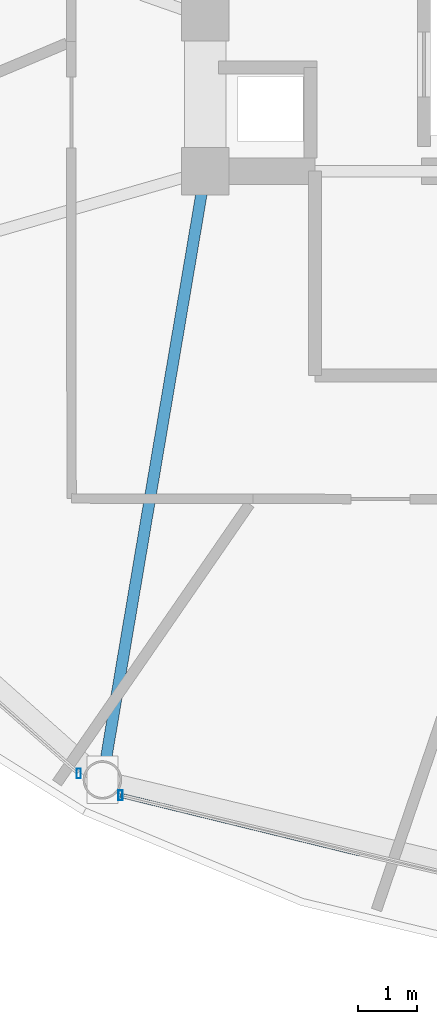
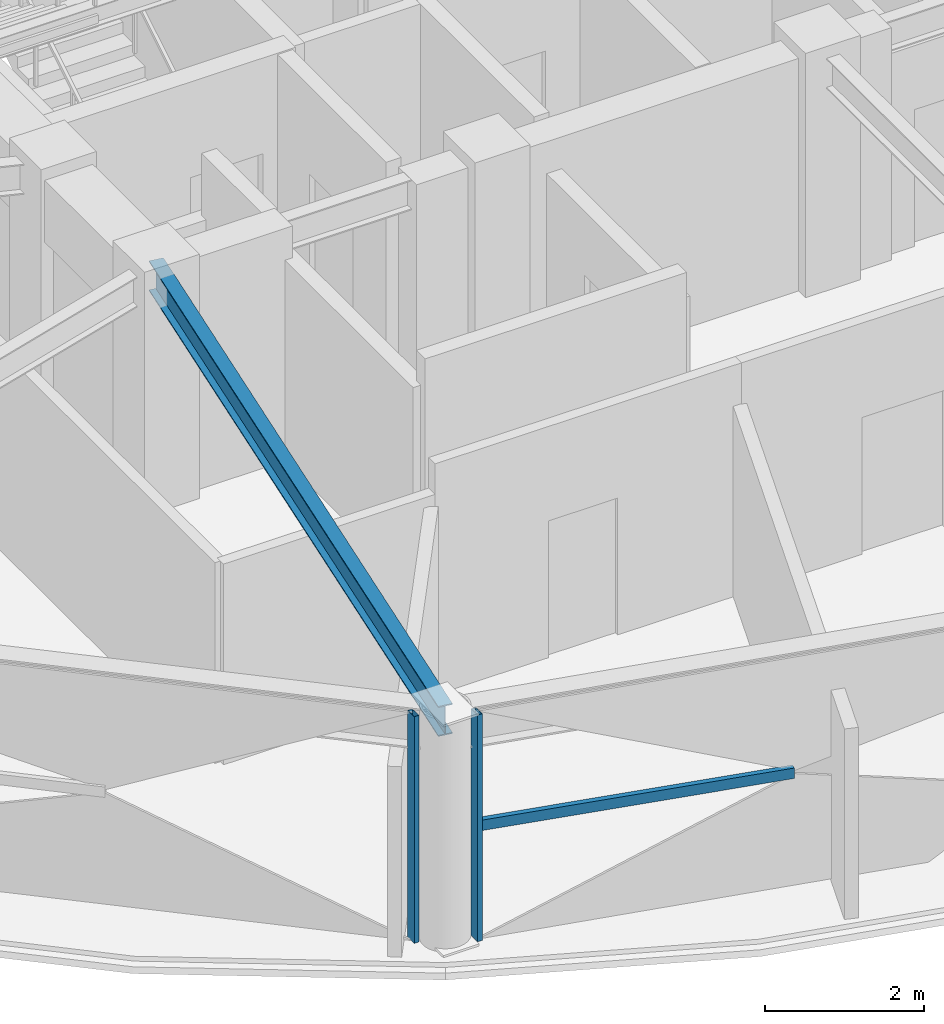
# One storey, part 2 of 30: 3 members, 1 beam, 2 elements without a shape of their own.
"""IFC4 building model written with IfcOpenShell, lengths in metres."""

from ifc_helpers import new_model, si_unit, direction, frame, origin, origin_2d, place, context, subcontext, project, spatial, hollow_rectangle, i_section, extrude, material, layer, layer_set, material_profile, profile_set, type_object, element, aggregate, save


model = new_model("IFC4")

# Units and contexts
model_context = context("Model", 3, precision=1e-05, world=origin(), true_north=direction((0.0, 1.0)))
body_context = subcontext(model_context, "Body", "Model", "MODEL_VIEW")
ifc_project = project(units=[si_unit("LENGTHUNIT", "METRE"), si_unit("AREAUNIT", "SQUARE_METRE"), si_unit("VOLUMEUNIT", "CUBIC_METRE"), si_unit("PLANEANGLEUNIT", "RADIAN"), si_unit("MASSUNIT", "GRAM", prefix="KILO")], contexts=[model_context])

# Site, building, storey
site_placement = place(None, origin())
site = spatial("IfcSite", under=ifc_project, at=site_placement, CompositionType="ELEMENT")
building_placement = place(site_placement, origin())
building = spatial("IfcBuilding", under=site, at=building_placement, Name="Vantalir Tower", CompositionType="ELEMENT")
storey_placement = place(building_placement, frame((0.0, 0.0, 186.14990234375)))
storey = spatial("IfcBuildingStorey", under=building, at=storey_placement, Name="L46", CompositionType="ELEMENT", Elevation=186.14990234375)

# Beam
ifc_material_1 = material(Name="Steel S355", Category="steel")
ifc_material_profile_1 = material_profile(ifc_material_1, i_section(OverallWidth=0.19189453125, OverallDepth=0.462890625, WebThickness=0.010498046875, FlangeThickness=0.017578125, at=origin_2d()), Name="Steel S355")
ifc_profile_set_1 = profile_set([ifc_material_profile_1], Name="Steel S355")
beam_type = type_object("IfcBeamType", Name="BM-RB-457x191", PredefinedType="BEAM", material=ifc_profile_set_1)
beam_placement = place(storey_placement, frame((20.162109375, 7.51708984375, 3.338134765625), z_axis=(0.166634565595, 0.986018722717, 0.0), x_axis=(-0.986018722717, 0.166634565595, 0.0)))
element("IfcBeam", 1, at=beam_placement, inside=storey, type_object=beam_type, Name="L46 Radial Floor Beam 09", PredefinedType="BEAM", context=body_context, shape_type="SweptSolid", body=[
    extrude(i_section(OverallWidth=0.19189453125, OverallDepth=0.462890625, WebThickness=0.010498046875, FlangeThickness=0.017578125, at=origin_2d()), origin(), (0.0, 0.0, 1.0), 10.4287109375),
])

# Curtain wall, member
ifc_material_2 = material(Name="Champagne-silver PVDF aluminium and double-silver Low-E glass", Category="aluminium")
ifc_layer = layer(ifc_material_2, 0.2099609375)
ifc_layer_set = layer_set([ifc_layer], Name="Champagne-silver PVDF aluminium and double-silver Low-E glass")
curtain_wall_type = type_object("IfcCurtainWallType", Name="CW-DIAMOND-Z3", PredefinedType="USERDEFINED", material=ifc_layer_set)
curtain_wall_1_placement = place(storey_placement, origin())
curtain_wall_1 = element("IfcCurtainWall", 2, at=curtain_wall_1_placement, inside=storey, type_object=curtain_wall_type, Name="L46 Quilted Pyramid-Diamond Curtain Wall S08", ObjectType="UNITISED CURTAIN WALL", PredefinedType="USERDEFINED")
ifc_material_3 = material(Name="Champagne-silver PVDF aluminium 6063-T6", Category="aluminium")
ifc_material_profile_2 = material_profile(ifc_material_3, hollow_rectangle(XDim=0.070068359375, YDim=0.1650390625, WallThickness=0.00390625, at=origin_2d()), Name="Champagne-silver PVDF aluminium 6063-T6")
ifc_profile_set_2 = profile_set([ifc_material_profile_2], Name="Champagne-silver PVDF aluminium 6063-T6")
member_type_1 = type_object("IfcMemberType", Name="CWM-165x70", PredefinedType="MULLION", material=ifc_profile_set_2)
member_1_placement = place(storey_placement, frame((19.760986328125, 7.625, 0.045166015625), z_axis=(0.0, 0.0, 1.0), x_axis=(1.0, 0.0, 0.0)))
member_1 = element("IfcMember", 3, at=member_1_placement, type_object=member_type_1, Name="CW-L46-S08 Mullion 2", PredefinedType="MULLION", context=body_context, shape_type="SweptSolid", body=[
    extrude(hollow_rectangle(XDim=0.070068359375, YDim=0.1650390625, WallThickness=0.00390625, at=origin_2d()), origin(), (0.0, 0.0, 1.0), 3.47998046875),
])
aggregate(curtain_wall_1, [member_1])

# Curtain wall, members
curtain_wall_2_placement = place(storey_placement, origin())
curtain_wall_2 = element("IfcCurtainWall", 4, at=curtain_wall_2_placement, inside=storey, type_object=curtain_wall_type, Name="L46 Quilted Pyramid-Diamond Curtain Wall S09", ObjectType="UNITISED CURTAIN WALL", PredefinedType="USERDEFINED")
member_2_placement = place(storey_placement, frame((20.466064453125, 7.257080078125, 0.045166015625), z_axis=(0.0, 0.0, 1.0), x_axis=(1.0, 0.0, 0.0)))
member_2 = element("IfcMember", 5, at=member_2_placement, type_object=member_type_1, Name="CW-L46-S09 Mullion 1", PredefinedType="MULLION", context=body_context, shape_type="SweptSolid", body=[
    extrude(hollow_rectangle(XDim=0.070068359375, YDim=0.1650390625, WallThickness=0.00390625, at=origin_2d()), origin(), (0.0, 0.0, 1.0), 3.47998046875),
])
ifc_material_profile_3 = material_profile(ifc_material_3, hollow_rectangle(XDim=0.074951171875, YDim=0.159912109375, WallThickness=0.00390625, at=origin_2d()), Name="Champagne-silver PVDF aluminium 6063-T6")
ifc_profile_set_3 = profile_set([ifc_material_profile_3], Name="Champagne-silver PVDF aluminium 6063-T6")
member_type_2 = type_object("IfcMemberType", Name="CWT-160x75", PredefinedType="USERDEFINED", material=ifc_profile_set_3)
member_3_placement = place(storey_placement, frame((20.466064453125, 7.257080078125, 1.78515625), z_axis=(0.971276515079, -0.237953632576, 0.0), x_axis=(0.237953632576, 0.971276515079, 0.0)))
member_3 = element("IfcMember", 6, at=member_3_placement, type_object=member_type_2, Name="CW-L46-S09 Pyramid Fold Ridge Transom", ObjectType="TRANSOM", PredefinedType="USERDEFINED", context=body_context, shape_type="SweptSolid", body=[
    extrude(hollow_rectangle(XDim=0.074951171875, YDim=0.159912109375, WallThickness=0.00390625, at=origin_2d()), origin(), (0.0, 0.0, 1.0), 4.15234375),
])
aggregate(curtain_wall_2, [member_2, member_3])

save(model, "model.ifc")
